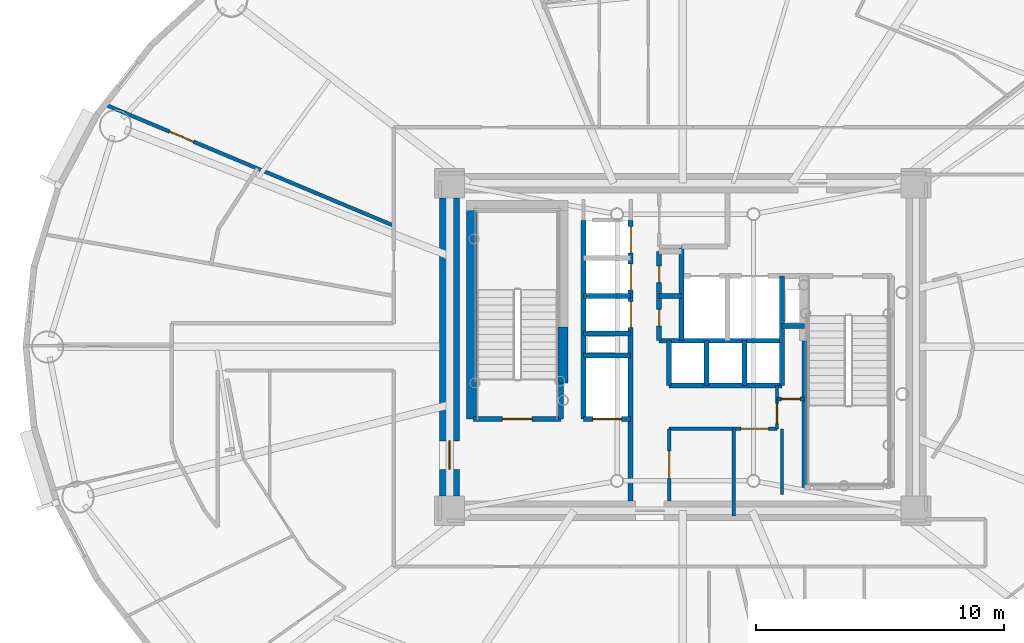
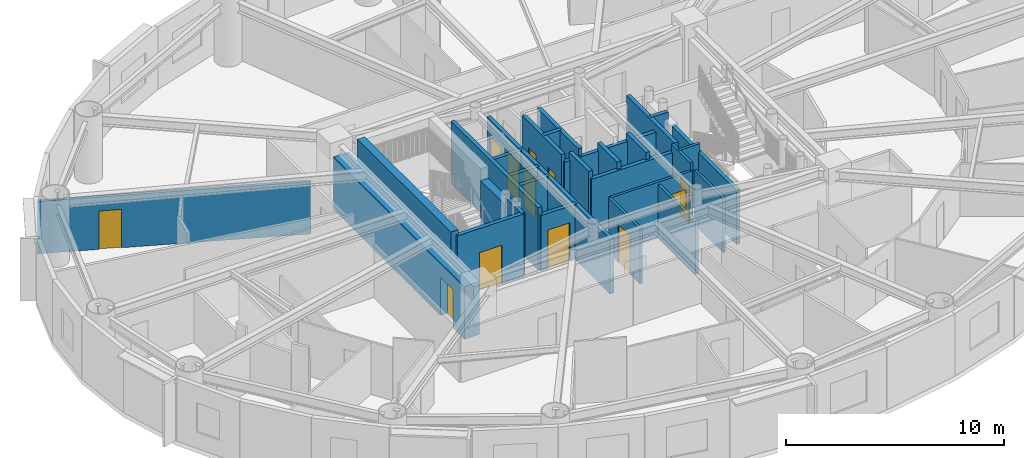
# One storey, part 8 of 18: 29 walls, 13 doors, 13 openings.
"""IFC4 building model written with IfcOpenShell, lengths in metres."""

from ifc_helpers import new_model, si_unit, direction, frame, frame_2d, origin, origin_2d, place, context, subcontext, project, spatial, rectangle, extrude, source, transform, mapped, material, layer, layer_set, type_object, element, fill, save


model = new_model("IFC4")

# Units and contexts
model_context = context("Model", 3, precision=1e-05, world=origin(), true_north=direction((0.0, 1.0)))
body_context = subcontext(model_context, "Body", "Model", "MODEL_VIEW")
ifc_project = project(units=[si_unit("LENGTHUNIT", "METRE"), si_unit("AREAUNIT", "SQUARE_METRE"), si_unit("VOLUMEUNIT", "CUBIC_METRE"), si_unit("PLANEANGLEUNIT", "RADIAN"), si_unit("MASSUNIT", "GRAM", prefix="KILO")], contexts=[model_context])

# Site, building, storey
site_placement = place(None, origin())
site = spatial("IfcSite", under=ifc_project, at=site_placement, CompositionType="ELEMENT")
building_placement = place(site_placement, origin())
building = spatial("IfcBuilding", under=site, at=building_placement, Name="Linh Dai School and Residence Tower", CompositionType="ELEMENT")
storey_placement = place(building_placement, frame((0.0, 0.0, 186.14990234375)))
storey = spatial("IfcBuildingStorey", under=building, at=storey_placement, Name="L45", CompositionType="ELEMENT", Elevation=186.14990234375)

# Wall, opening, door
ifc_material_1 = material(Name="Autoclaved Aerated Concrete Blockwork", Category="masonry")
ifc_layer_1 = layer(ifc_material_1, 0.135009765625)
ifc_layer_set_1 = layer_set([ifc_layer_1], Name="Autoclaved Aerated Concrete Blockwork")
wall_type_1 = type_object("IfcWallType", Name="IW-CORR-135-EI90", PredefinedType="PARTITIONING", material=ifc_layer_set_1)
wall_1_placement = place(storey_placement, frame((35.449951171875, 20.800048828125, 0.0), z_axis=(0.0, 0.0, 1.0), x_axis=(0.0, 1.0, 0.0)))
wall_1 = element("IfcWall", 1, at=wall_1_placement, inside=storey, type_object=wall_type_1, Name="L45 Interior Partition Wall 047", PredefinedType="PARTITIONING", context=body_context, shape_type="SweptSolid", body=[
    extrude(rectangle(XDim=2.89990234375, YDim=0.135009765625, at=frame_2d((1.449951171875, 0.0))), origin(), (0.0, 0.0, 1.0), 3.085205078125),
])
opening_1_placement = place(wall_1_placement, frame((0.89990234375, 0.0, 0.0)))
opening_1 = element("IfcOpeningElement", 2, at=opening_1_placement, cuts=wall_1, Name="Opening D07", PredefinedType="OPENING", context=body_context, shape_type="SweptSolid", body=[
    extrude(rectangle(XDim=1.10009765625, YDim=2.14990234375, at=origin_2d()), frame((0.550048828125, 0.07763671875, 1.074951171875), z_axis=(0.0, -1.0, 0.0), x_axis=(1.0, 0.0, 0.0)), (0.0, 0.0, 1.0), 0.155029296875),
])
ifc_material_2 = material(Name="Fire-Rated Louvred Steel Plant Door", Category="steel")
door_type_1 = type_object("IfcDoorType", Name="DR-PLT-1100x2150-FD60S", OperationType="NOTDEFINED", PredefinedType="DOOR", material=ifc_material_2)
shared_shape_1 = source(origin(), body_context, "Body", "SweptSolid", [
    extrude(rectangle(XDim=1.10009765625, YDim=2.14990234375, at=origin_2d()), frame((0.550048828125, 0.02490234375, 1.074951171875), z_axis=(0.0, -1.0, 0.0), x_axis=(1.0, 0.0, 0.0)), (0.0, 0.0, 1.0), 0.050048828125),
])
door_1_placement = place(opening_1_placement, origin())
door_1 = element("IfcDoor", 3, at=door_1_placement, inside=storey, type_object=door_type_1, Name="L45 Floor Electrical Switchroom Door", OperationType="SINGLE_SWING_RIGHT", OverallHeight=2.14990234375, OverallWidth=1.10009765625, PredefinedType="DOOR", context=body_context, shape_type="MappedRepresentation", body=[
    mapped(shared_shape_1, transform((0.0, 0.0, 0.0), x_axis=(1.0, 0.0, 0.0), y_axis=(0.0, 1.0, 0.0), z_axis=(0.0, 0.0, 1.0), scale=1.0)),
])
fill(opening_1, door_1)

wall_2_placement = place(storey_placement, frame((35.449951171875, 23.699951171875, 0.0), z_axis=(0.0, 0.0, 1.0), x_axis=(1.0, 0.0, 0.0)))
wall_2 = element("IfcWall", 4, at=wall_2_placement, inside=storey, type_object=wall_type_1, Name="L45 Interior Partition Wall 048", PredefinedType="PARTITIONING", context=body_context, shape_type="SweptSolid", body=[
    extrude(rectangle(XDim=4.35009765625, YDim=0.135009765625, at=frame_2d((2.175048828125, 0.0))), origin(), (0.0, 0.0, 1.0), 3.085205078125),
])
opening_2_placement = place(wall_2_placement, frame((2.905029296875, 0.0, 0.0)))
opening_2 = element("IfcOpeningElement", 5, at=opening_2_placement, cuts=wall_2, Name="Opening D07", PredefinedType="OPENING", context=body_context, shape_type="SweptSolid", body=[
    extrude(rectangle(XDim=1.10009765625, YDim=2.14990234375, at=origin_2d()), frame((0.550048828125, 0.07763671875, 1.074951171875), z_axis=(0.0, -1.0, 0.0), x_axis=(1.0, 0.0, 0.0)), (0.0, 0.0, 1.0), 0.155029296875),
])
door_2_placement = place(opening_2_placement, origin())
door_2 = element("IfcDoor", 6, at=door_2_placement, inside=storey, type_object=door_type_1, Name="L45 Telecom Node Room Door", OperationType="SINGLE_SWING_LEFT", OverallHeight=2.14990234375, OverallWidth=1.10009765625, PredefinedType="DOOR", context=body_context, shape_type="MappedRepresentation", body=[
    mapped(shared_shape_1, transform((0.0, 0.0, 0.0), x_axis=(1.0, 0.0, 0.0), y_axis=(0.0, 1.0, 0.0), z_axis=(0.0, 0.0, 1.0), scale=1.0)),
])
fill(opening_2, door_2)

wall_3_placement = place(storey_placement, frame((39.800048828125, 23.699951171875, 0.0), z_axis=(0.0, 0.0, 1.0), x_axis=(0.0, 1.0, 0.0)))
wall_3 = element("IfcWall", 7, at=wall_3_placement, inside=storey, type_object=wall_type_1, Name="L45 Interior Partition Wall 066", PredefinedType="PARTITIONING", context=body_context, shape_type="SweptSolid", body=[
    extrude(rectangle(XDim=1.75, YDim=0.135009765625, at=frame_2d((0.875, 0.0))), origin(), (0.0, 0.0, 1.0), 3.5),
])
opening_3_placement = place(wall_3_placement, frame((0.2099609375, 0.0, 0.0)))
opening_3 = element("IfcOpeningElement", 8, at=opening_3_placement, cuts=wall_3, Name="Opening D06", PredefinedType="OPENING", context=body_context, shape_type="SweptSolid", body=[
    extrude(rectangle(XDim=0.820068359375, YDim=2.10009765625, at=origin_2d()), frame((0.41015625, 0.07763671875, 1.050048828125), z_axis=(0.0, -1.0, 0.0), x_axis=(1.0, 0.0, 0.0)), (0.0, 0.0, 1.0), 0.155029296875),
])
ifc_material_3 = material(Name="Moisture-Resistant Timber Bathroom Door", Category="wood")
door_type_2 = type_object("IfcDoorType", Name="DR-WET-820x2100", OperationType="NOTDEFINED", PredefinedType="DOOR", material=ifc_material_3)
shared_shape_2 = source(origin(), body_context, "Body", "SweptSolid", [
    extrude(rectangle(XDim=0.820068359375, YDim=2.10009765625, at=origin_2d()), frame((0.41015625, 0.02490234375, 1.050048828125), z_axis=(0.0, -1.0, 0.0), x_axis=(1.0, 0.0, 0.0)), (0.0, 0.0, 1.0), 0.050048828125),
])
door_3_placement = place(opening_3_placement, origin())
door_3 = element("IfcDoor", 9, at=door_3_placement, inside=storey, type_object=door_type_2, Name="L45 SE Electrical Closet Door", OperationType="SINGLE_SWING_LEFT", OverallHeight=2.10009765625, OverallWidth=0.820068359375, PredefinedType="DOOR", context=body_context, shape_type="MappedRepresentation", body=[
    mapped(shared_shape_2, transform((0.0, 0.0, 0.0), x_axis=(1.0, 0.0, 0.0), y_axis=(0.0, 1.0, 0.0), z_axis=(0.0, 0.0, 1.0), scale=1.0)),
])
fill(opening_3, door_3)

# Wall
wall_4_placement = place(storey_placement, frame((40.0, 23.699951171875, 0.0), z_axis=(0.0, 0.0, 1.0), x_axis=(0.0, -1.0, 0.0)))
element("IfcWall", 10, at=wall_4_placement, inside=storey, type_object=wall_type_1, Name="L45 Interior Partition Wall 098", PredefinedType="PARTITIONING", context=body_context, shape_type="SweptSolid", body=[
    extrude(rectangle(XDim=2.639892578125, YDim=0.135009765625, at=frame_2d((1.31982421875, 0.0))), origin(), (0.0, 0.0, 1.0), 3.03515625),
])

# Wall, opening, door
ifc_layer_2 = layer(ifc_material_1, 0.14990234375)
ifc_layer_set_2 = layer_set([ifc_layer_2], Name="Autoclaved Aerated Concrete Blockwork")
wall_type_2 = type_object("IfcWallType", Name="IW-SCH-150-EI60", PredefinedType="PARTITIONING", material=ifc_layer_set_2)
wall_5_placement = place(storey_placement, frame((12.7001953125, 36.775146484375, 0.0), z_axis=(0.0, 0.0, 1.0), x_axis=(0.922134788074, -0.386868753745, 0.0)))
wall_5 = element("IfcWall", 11, at=wall_5_placement, inside=storey, type_object=wall_type_2, Name="L45 Interior Partition Wall 004", PredefinedType="PARTITIONING", context=body_context, shape_type="SweptSolid", body=[
    extrude(rectangle(XDim=12.63330078125, YDim=0.14990234375, at=frame_2d((6.316650390625, 0.0))), origin(), (0.0, 0.0, 1.0), 2.93505859375),
])
opening_4_placement = place(wall_5_placement, frame((2.83447265625, 0.0, 0.0)))
opening_4 = element("IfcOpeningElement", 12, at=opening_4_placement, cuts=wall_5, Name="Opening D04", PredefinedType="OPENING", context=body_context, shape_type="SweptSolid", body=[
    extrude(rectangle(XDim=1.050048828125, YDim=2.14990234375, at=origin_2d()), frame((0.52490234375, 0.0849609375, 1.074951171875), z_axis=(0.0, -1.0, 0.0), x_axis=(1.0, 0.0, 0.0)), (0.0, 0.0, 1.0), 0.169921875),
])
ifc_material_4 = material(Name="Acoustic Vision-Panel Timber Classroom Door", Category="wood")
door_type_3 = type_object("IfcDoorType", Name="DR-SCH-1050x2150-FD60S", OperationType="NOTDEFINED", PredefinedType="DOOR", material=ifc_material_4)
shared_shape_3 = source(origin(), body_context, "Body", "SweptSolid", [
    extrude(rectangle(XDim=1.050048828125, YDim=2.14990234375, at=origin_2d()), frame((0.52490234375, 0.02490234375, 1.074951171875), z_axis=(0.0, -1.0, 0.0), x_axis=(1.0, 0.0, 0.0)), (0.0, 0.0, 1.0), 0.050048828125),
])
door_4_placement = place(opening_4_placement, origin())
door_4 = element("IfcDoor", 13, at=door_4_placement, inside=storey, type_object=door_type_3, Name="L45 Amenity Tea Salon Door", OperationType="SINGLE_SWING_LEFT", OverallHeight=2.14990234375, OverallWidth=1.050048828125, PredefinedType="DOOR", context=body_context, shape_type="MappedRepresentation", body=[
    mapped(shared_shape_3, transform((0.0, 0.0, 0.0), x_axis=(1.0, 0.0, 0.0), y_axis=(0.0, 1.0, 0.0), z_axis=(0.0, 0.0, 1.0), scale=1.0)),
])
fill(opening_4, door_4)

# Wall
wall_6_placement = place(storey_placement, frame((38.050048828125, 20.179931640625, 0.0), z_axis=(0.0, 0.0, 1.0), x_axis=(0.0, 1.0, 0.0)))
element("IfcWall", 14, at=wall_6_placement, inside=storey, type_object=wall_type_2, Name="L45 Interior Partition Wall 062", PredefinedType="PARTITIONING", context=body_context, shape_type="SweptSolid", body=[
    extrude(rectangle(XDim=3.52001953125, YDim=0.14990234375, at=frame_2d((1.760009765625, 0.0))), origin(), (0.0, 0.0, 1.0), 2.93505859375),
])

# Wall, opening, door
wall_7_placement = place(storey_placement, frame((39.800048828125, 24.89990234375, 0.0), z_axis=(0.0, 0.0, 1.0), x_axis=(1.0, 0.0, 0.0)))
wall_7 = element("IfcWall", 15, at=wall_7_placement, inside=storey, type_object=wall_type_2, Name="L45 Interior Partition Wall 067", PredefinedType="PARTITIONING", context=body_context, shape_type="SweptSolid", body=[
    extrude(rectangle(XDim=1.099853515625, YDim=0.14990234375, at=frame_2d((0.5498046875, 0.0))), origin(), (0.0, 0.0, 1.0), 3.5),
])
opening_5_placement = place(wall_7_placement, frame((0.169921875, 0.0, 0.0)))
opening_5 = element("IfcOpeningElement", 16, at=opening_5_placement, cuts=wall_7, Name="Opening D08", PredefinedType="OPENING", context=body_context, shape_type="SweptSolid", body=[
    extrude(rectangle(XDim=0.760009765625, YDim=2.10009765625, at=origin_2d()), frame((0.3798828125, 0.0849609375, 1.050048828125), z_axis=(0.0, -1.0, 0.0), x_axis=(1.0, 0.0, 0.0)), (0.0, 0.0, 1.0), 0.169921875),
])
ifc_material_5 = material(Name="Engineered Timber Closet and Study Door", Category="wood")
door_type_4 = type_object("IfcDoorType", Name="DR-CMP-760x2100", OperationType="NOTDEFINED", PredefinedType="DOOR", material=ifc_material_5)
shared_shape_4 = source(origin(), body_context, "Body", "SweptSolid", [
    extrude(rectangle(XDim=0.760009765625, YDim=2.10009765625, at=origin_2d()), frame((0.3798828125, 0.02490234375, 1.050048828125), z_axis=(0.0, -1.0, 0.0), x_axis=(1.0, 0.0, 0.0)), (0.0, 0.0, 1.0), 0.050048828125),
])
door_5_placement = place(opening_5_placement, origin())
door_5 = element("IfcDoor", 17, at=door_5_placement, inside=storey, type_object=door_type_4, Name="L45 NE Equipment Store Door", OperationType="SINGLE_SWING_RIGHT", OverallHeight=2.10009765625, OverallWidth=0.760009765625, PredefinedType="DOOR", context=body_context, shape_type="MappedRepresentation", body=[
    mapped(shared_shape_4, transform((0.0, 0.0, 0.0), x_axis=(1.0, 0.0, 0.0), y_axis=(0.0, 1.0, 0.0), z_axis=(0.0, 0.0, 1.0), scale=1.0)),
])
fill(opening_5, door_5)

ifc_material_6 = material(Name="Concrete B45 (C35/45)", Category="concrete")
ifc_layer_3 = layer(ifc_material_6, 0.199951171875)
ifc_layer_set_3 = layer_set([ifc_layer_3], Name="Concrete B45 (C35/45)")
wall_type_3 = type_object("IfcWallType", Name="IW-SHAFT-200-EI120", PredefinedType="PARTITIONING", material=ifc_layer_set_3)
wall_8_placement = place(storey_placement, frame((27.56005859375, 24.10009765625, 0.0), z_axis=(0.0, 0.0, 1.0), x_axis=(1.0, 0.0, 0.0)))
wall_8 = element("IfcWall", 18, at=wall_8_placement, inside=storey, type_object=wall_type_3, Name="L45 Interior Partition Wall 025", PredefinedType="PARTITIONING", context=body_context, shape_type="SweptSolid", body=[
    extrude(rectangle(XDim=3.5400390625, YDim=0.199951171875, at=frame_2d((1.77001953125, 0.0))), origin(), (0.0, 0.0, 1.0), 3.5),
])
opening_6_placement = place(wall_8_placement, frame((1.169921875, 0.0, 0.0)))
opening_6 = element("IfcOpeningElement", 19, at=opening_6_placement, cuts=wall_8, Name="Opening D01", PredefinedType="OPENING", context=body_context, shape_type="SweptSolid", body=[
    extrude(rectangle(XDim=1.199951171875, YDim=2.14990234375, at=origin_2d()), frame((0.60009765625, 0.10986328125, 1.074951171875), z_axis=(0.0, -1.0, 0.0), x_axis=(1.0, 0.0, 0.0)), (0.0, 0.0, 1.0), 0.219970703125),
])
ifc_material_7 = material(Name="Fire-Rated Steel Door Leaf", Category="steel")
door_type_5 = type_object("IfcDoorType", Name="DR-STAIR-1200x2150-FD90S", OperationType="NOTDEFINED", PredefinedType="DOOR", material=ifc_material_7)
shared_shape_5 = source(origin(), body_context, "Body", "SweptSolid", [
    extrude(rectangle(XDim=1.199951171875, YDim=2.14990234375, at=origin_2d()), frame((0.60009765625, 0.02490234375, 1.074951171875), z_axis=(0.0, -1.0, 0.0), x_axis=(1.0, 0.0, 0.0)), (0.0, 0.0, 1.0), 0.050048828125),
])
door_6_placement = place(opening_6_placement, origin())
door_6 = element("IfcDoor", 20, at=door_6_placement, inside=storey, type_object=door_type_5, Name="L45 Core Smokeproof Exit Stair ST1 Door", OperationType="SINGLE_SWING_LEFT", OverallHeight=2.14990234375, OverallWidth=1.199951171875, PredefinedType="DOOR", context=body_context, shape_type="MappedRepresentation", body=[
    mapped(shared_shape_5, transform((0.0, 0.0, 0.0), x_axis=(1.0, 0.0, 0.0), y_axis=(0.0, 1.0, 0.0), z_axis=(0.0, 0.0, 1.0), scale=1.0)),
])
fill(opening_6, door_6)

# Walls
wall_9_placement = place(storey_placement, frame((31.10009765625, 24.10009765625, 0.0), z_axis=(0.0, 0.0, 1.0), x_axis=(0.0, 1.0, 0.0)))
element("IfcWall", 21, at=wall_9_placement, inside=storey, type_object=wall_type_3, Name="L45 Interior Partition Wall 030", PredefinedType="PARTITIONING", context=body_context, shape_type="SweptSolid", body=[
    extrude(rectangle(XDim=1.43994140625, YDim=0.199951171875, at=frame_2d((0.719970703125, 0.0))), origin(), (0.0, 0.0, 1.0), 3.5),
])
wall_10_placement = place(storey_placement, frame((32.0, 24.10009765625, 0.0), z_axis=(0.0, 0.0, 1.0), x_axis=(0.0, 1.0, 0.0)))
element("IfcWall", 22, at=wall_10_placement, inside=storey, type_object=wall_type_3, Name="L45 Interior Partition Wall 031", PredefinedType="PARTITIONING", context=body_context, shape_type="SweptSolid", body=[
    extrude(rectangle(XDim=8.0, YDim=0.199951171875, at=frame_2d((4.0, 0.0))), origin(), (0.0, 0.0, 1.0), 3.5),
])

# Wall, opening, door
wall_11_placement = place(storey_placement, frame((32.0, 24.10009765625, 0.0), z_axis=(0.0, 0.0, 1.0), x_axis=(1.0, 0.0, 0.0)))
wall_11 = element("IfcWall", 23, at=wall_11_placement, inside=storey, type_object=wall_type_3, Name="L45 Interior Partition Wall 032", PredefinedType="PARTITIONING", context=body_context, shape_type="SweptSolid", body=[
    extrude(rectangle(XDim=1.89990234375, YDim=0.199951171875, at=frame_2d((0.949951171875, 0.0))), origin(), (0.0, 0.0, 1.0), 3.085205078125),
])
opening_7_placement = place(wall_11_placement, frame((0.375, 0.0, 0.0)))
opening_7 = element("IfcOpeningElement", 24, at=opening_7_placement, cuts=wall_11, Name="Opening LD-FF2", PredefinedType="OPENING", context=body_context, shape_type="SweptSolid", body=[
    extrude(rectangle(XDim=1.14990234375, YDim=2.14990234375, at=origin_2d()), frame((0.574951171875, 0.10986328125, 1.074951171875), z_axis=(0.0, -1.0, 0.0), x_axis=(1.0, 0.0, 0.0)), (0.0, 0.0, 1.0), 0.219970703125),
])
ifc_material_8 = material(Name="Fire-Rated Stainless Steel Firefighting Lift Door", Category="steel")
door_type_6 = type_object("IfcDoorType", Name="DR-LD-FF-1150x2150-FD120", OperationType="DOUBLE_DOOR_SLIDING", PredefinedType="USERDEFINED", material=ifc_material_8)
shared_shape_6 = source(origin(), body_context, "Body", "SweptSolid", [
    extrude(rectangle(XDim=1.14990234375, YDim=2.14990234375, at=origin_2d()), frame((0.574951171875, 0.02490234375, 1.074951171875), z_axis=(0.0, -1.0, 0.0), x_axis=(1.0, 0.0, 0.0)), (0.0, 0.0, 1.0), 0.050048828125),
])
door_7_placement = place(opening_7_placement, origin())
door_7 = element("IfcDoor", 25, at=door_7_placement, inside=storey, type_object=door_type_6, Name="L45 Lift FF2 Sliding Landing Door", ObjectType="LANDING DOOR", OperationType="DOUBLE_DOOR_SLIDING", OverallHeight=2.14990234375, OverallWidth=1.14990234375, PredefinedType="USERDEFINED", context=body_context, shape_type="MappedRepresentation", body=[
    mapped(shared_shape_6, transform((0.0, 0.0, 0.0), x_axis=(1.0, 0.0, 0.0), y_axis=(0.0, 1.0, 0.0), z_axis=(0.0, 0.0, 1.0), scale=1.0)),
])
fill(opening_7, door_7)

# Walls
for number, where, z_axis, x_axis, name in (
    (26, (32.0, 26.64990234375, 0.0), (0.0, 0.0, 1.0), (1.0, 0.0, 0.0), "L45 Interior Partition Wall 033"),
    (27, (32.0, 27.550048828125, 0.0), (0.0, 0.0, 1.0), (1.0, 0.0, 0.0), "L45 Interior Partition Wall 034"),
    (28, (32.0, 29.06005859375, 0.0), (0.0, 0.0, 1.0), (1.0, 0.0, 0.0), "L45 Interior Partition Wall 035"),
):
    element("IfcWall", number, at=place(storey_placement, frame(where, z_axis=z_axis, x_axis=x_axis)), inside=storey, type_object=wall_type_3, Name=name, PredefinedType="PARTITIONING", context=body_context, shape_type="SweptSolid", body=[
        extrude(rectangle(XDim=1.89990234375, YDim=0.199951171875, at=frame_2d((0.949951171875, 0.0))), origin(), (0.0, 0.0, 1.0), 3.085205078125),
    ])

# Wall, openings, doors
wall_12_placement = place(storey_placement, frame((33.89990234375, 20.800048828125, 0.0), z_axis=(0.0, 0.0, 1.0), x_axis=(0.0, 1.0, 0.0)))
wall_12 = element("IfcWall", 29, at=wall_12_placement, inside=storey, type_object=wall_type_3, Name="L45 Interior Partition Wall 039", PredefinedType="PARTITIONING", context=body_context, shape_type="SweptSolid", body=[
    extrude(rectangle(XDim=11.300048828125, YDim=0.199951171875, at=frame_2d((5.64990234375, 0.0))), origin(), (0.0, 0.0, 1.0), 3.085205078125),
])
opening_8_placement = place(wall_12_placement, frame((6.97998046875, 0.0, 0.0)))
opening_8 = element("IfcOpeningElement", 30, at=opening_8_placement, cuts=wall_12, Name="Opening LD-PL4", PredefinedType="OPENING", context=body_context, shape_type="SweptSolid", body=[
    extrude(rectangle(XDim=1.050048828125, YDim=2.14990234375, at=origin_2d()), frame((0.52490234375, 0.10986328125, 1.074951171875), z_axis=(0.0, -1.0, 0.0), x_axis=(1.0, 0.0, 0.0)), (0.0, 0.0, 1.0), 0.219970703125),
])
opening_9_placement = place(wall_12_placement, frame((8.4951171875, 0.0, 0.0)))
opening_9 = element("IfcOpeningElement", 31, at=opening_9_placement, cuts=wall_12, Name="Opening LD-PL5", PredefinedType="OPENING", context=body_context, shape_type="SweptSolid", body=[
    extrude(rectangle(XDim=1.050048828125, YDim=2.14990234375, at=origin_2d()), frame((0.52490234375, 0.10986328125, 1.074951171875), z_axis=(0.0, -1.0, 0.0), x_axis=(1.0, 0.0, 0.0)), (0.0, 0.0, 1.0), 0.219970703125),
])
opening_10_placement = place(wall_12_placement, frame((9.9951171875, 0.0, 0.0)))
opening_10 = element("IfcOpeningElement", 32, at=opening_10_placement, cuts=wall_12, Name="Opening LD-PL6", PredefinedType="OPENING", context=body_context, shape_type="SweptSolid", body=[
    extrude(rectangle(XDim=1.050048828125, YDim=2.14990234375, at=origin_2d()), frame((0.52490234375, 0.10986328125, 1.074951171875), z_axis=(0.0, -1.0, 0.0), x_axis=(1.0, 0.0, 0.0)), (0.0, 0.0, 1.0), 0.219970703125),
])
ifc_material_9 = material(Name="Brushed Stainless Steel Lift Landing Door", Category="steel")
door_type_7 = type_object("IfcDoorType", Name="DR-LD-PASS-1050x2150", OperationType="DOUBLE_DOOR_SLIDING", PredefinedType="USERDEFINED", material=ifc_material_9)
shared_shape_7 = source(origin(), body_context, "Body", "SweptSolid", [
    extrude(rectangle(XDim=1.050048828125, YDim=2.14990234375, at=origin_2d()), frame((0.52490234375, 0.02490234375, 1.074951171875), z_axis=(0.0, -1.0, 0.0), x_axis=(1.0, 0.0, 0.0)), (0.0, 0.0, 1.0), 0.050048828125),
])
door_8_placement = place(opening_8_placement, origin())
door_8 = element("IfcDoor", 33, at=door_8_placement, inside=storey, type_object=door_type_7, Name="L45 Lift PL4 Sliding Landing Door", ObjectType="LANDING DOOR", OperationType="DOUBLE_DOOR_SLIDING", OverallHeight=2.14990234375, OverallWidth=1.050048828125, PredefinedType="USERDEFINED", context=body_context, shape_type="MappedRepresentation", body=[
    mapped(shared_shape_7, transform((0.0, 0.0, 0.0), x_axis=(1.0, 0.0, 0.0), y_axis=(0.0, 1.0, 0.0), z_axis=(0.0, 0.0, 1.0), scale=1.0)),
])
fill(opening_8, door_8)
door_9_placement = place(opening_9_placement, origin())
door_9 = element("IfcDoor", 34, at=door_9_placement, inside=storey, type_object=door_type_7, Name="L45 Lift PL5 Sliding Landing Door", ObjectType="LANDING DOOR", OperationType="DOUBLE_DOOR_SLIDING", OverallHeight=2.14990234375, OverallWidth=1.050048828125, PredefinedType="USERDEFINED", context=body_context, shape_type="MappedRepresentation", body=[
    mapped(shared_shape_7, transform((0.0, 0.0, 0.0), x_axis=(1.0, 0.0, 0.0), y_axis=(0.0, 1.0, 0.0), z_axis=(0.0, 0.0, 1.0), scale=1.0)),
])
fill(opening_9, door_9)
door_10_placement = place(opening_10_placement, origin())
door_10 = element("IfcDoor", 35, at=door_10_placement, inside=storey, type_object=door_type_7, Name="L45 Lift PL6 Sliding Landing Door", ObjectType="LANDING DOOR", OperationType="DOUBLE_DOOR_SLIDING", OverallHeight=2.14990234375, OverallWidth=1.050048828125, PredefinedType="USERDEFINED", context=body_context, shape_type="MappedRepresentation", body=[
    mapped(shared_shape_7, transform((0.0, 0.0, 0.0), x_axis=(1.0, 0.0, 0.0), y_axis=(0.0, 1.0, 0.0), z_axis=(0.0, 0.0, 1.0), scale=1.0)),
])
fill(opening_10, door_10)

wall_13_placement = place(storey_placement, frame((35.050048828125, 27.25, 0.0), z_axis=(0.0, 0.0, 1.0), x_axis=(0.0, 1.0, 0.0)))
wall_13 = element("IfcWall", 36, at=wall_13_placement, inside=storey, type_object=wall_type_3, Name="L45 Interior Partition Wall 041", PredefinedType="PARTITIONING", context=body_context, shape_type="SweptSolid", body=[
    extrude(rectangle(XDim=3.60009765625, YDim=0.199951171875, at=frame_2d((1.800048828125, 0.0))), origin(), (0.0, 0.0, 1.0), 3.5),
])
opening_11_placement = place(wall_13_placement, frame((0.590087890625, 0.0, 0.0)))
opening_11 = element("IfcOpeningElement", 37, at=opening_11_placement, cuts=wall_13, Name="Opening AD1", PredefinedType="OPENING", context=body_context, shape_type="SweptSolid", body=[
    extrude(rectangle(XDim=0.659912109375, YDim=2.050048828125, at=origin_2d()), frame((0.330078125, 0.10986328125, 1.02490234375), z_axis=(0.0, -1.0, 0.0), x_axis=(1.0, 0.0, 0.0)), (0.0, 0.0, 1.0), 0.219970703125),
])
opening_12_placement = place(wall_13_placement, frame((2.35009765625, 0.0, 0.0)))
opening_12 = element("IfcOpeningElement", 38, at=opening_12_placement, cuts=wall_13, Name="Opening AD1", PredefinedType="OPENING", context=body_context, shape_type="SweptSolid", body=[
    extrude(rectangle(XDim=0.659912109375, YDim=2.050048828125, at=origin_2d()), frame((0.330078125, 0.10986328125, 1.02490234375), z_axis=(0.0, -1.0, 0.0), x_axis=(1.0, 0.0, 0.0)), (0.0, 0.0, 1.0), 0.219970703125),
])
ifc_material_10 = material(Name="Fire-Rated Steel Riser Access Door", Category="steel")
door_type_8 = type_object("IfcDoorType", Name="DR-ACC-660x2050-FD90S", OperationType="NOTDEFINED", PredefinedType="USERDEFINED", material=ifc_material_10)
shared_shape_8 = source(origin(), body_context, "Body", "SweptSolid", [
    extrude(rectangle(XDim=0.659912109375, YDim=2.050048828125, at=origin_2d()), frame((0.330078125, 0.02490234375, 1.02490234375), z_axis=(0.0, -1.0, 0.0), x_axis=(1.0, 0.0, 0.0)), (0.0, 0.0, 1.0), 0.050048828125),
])
door_11_placement = place(opening_11_placement, origin())
door_11 = element("IfcDoor", 39, at=door_11_placement, inside=storey, type_object=door_type_8, Name="L45 Telecom and Data Riser Access Door", ObjectType="ACCESS DOOR", OperationType="SINGLE_SWING_RIGHT", OverallHeight=2.050048828125, OverallWidth=0.659912109375, PredefinedType="USERDEFINED", context=body_context, shape_type="MappedRepresentation", body=[
    mapped(shared_shape_8, transform((0.0, 0.0, 0.0), x_axis=(1.0, 0.0, 0.0), y_axis=(0.0, 1.0, 0.0), z_axis=(0.0, 0.0, 1.0), scale=1.0)),
])
fill(opening_11, door_11)
door_12_placement = place(opening_12_placement, origin())
door_12 = element("IfcDoor", 40, at=door_12_placement, inside=storey, type_object=door_type_8, Name="L45 Mechanical and Plumbing Riser Access Door", ObjectType="ACCESS DOOR", OperationType="SINGLE_SWING_LEFT", OverallHeight=2.050048828125, OverallWidth=0.659912109375, PredefinedType="USERDEFINED", context=body_context, shape_type="MappedRepresentation", body=[
    mapped(shared_shape_8, transform((0.0, 0.0, 0.0), x_axis=(1.0, 0.0, 0.0), y_axis=(0.0, 1.0, 0.0), z_axis=(0.0, 0.0, 1.0), scale=1.0)),
])
fill(opening_12, door_12)

# Walls
wall_14_placement = place(storey_placement, frame((35.050048828125, 27.25, 0.0), z_axis=(0.0, 0.0, 1.0), x_axis=(1.0, 0.0, 0.0)))
element("IfcWall", 41, at=wall_14_placement, inside=storey, type_object=wall_type_3, Name="L45 Interior Partition Wall 042", PredefinedType="PARTITIONING", context=body_context, shape_type="SweptSolid", body=[
    extrude(rectangle(XDim=4.949951171875, YDim=0.199951171875, at=frame_2d((2.47509765625, 0.0))), origin(), (0.0, 0.0, 1.0), 3.085205078125),
])
wall_15_placement = place(storey_placement, frame((35.050048828125, 29.050048828125, 0.0), z_axis=(0.0, 0.0, 1.0), x_axis=(1.0, 0.0, 0.0)))
element("IfcWall", 42, at=wall_15_placement, inside=storey, type_object=wall_type_3, Name="L45 Interior Partition Wall 043", PredefinedType="PARTITIONING", context=body_context, shape_type="SweptSolid", body=[
    extrude(rectangle(XDim=0.89990234375, YDim=0.199951171875, at=frame_2d((0.449951171875, 0.0))), origin(), (0.0, 0.0, 1.0), 3.5),
])
wall_16_placement = place(storey_placement, frame((35.449951171875, 25.449951171875, 0.0), z_axis=(0.0, 0.0, 1.0), x_axis=(0.0, 1.0, 0.0)))
element("IfcWall", 43, at=wall_16_placement, inside=storey, type_object=wall_type_3, Name="L45 Interior Partition Wall 049", PredefinedType="PARTITIONING", context=body_context, shape_type="SweptSolid", body=[
    extrude(rectangle(XDim=1.800048828125, YDim=0.199951171875, at=frame_2d((0.89990234375, 0.0))), origin(), (0.0, 0.0, 1.0), 3.5),
])
wall_17_placement = place(storey_placement, frame((35.449951171875, 25.449951171875, 0.0), z_axis=(0.0, 0.0, 1.0), x_axis=(1.0, 0.0, 0.0)))
element("IfcWall", 44, at=wall_17_placement, inside=storey, type_object=wall_type_3, Name="L45 Interior Partition Wall 050", PredefinedType="PARTITIONING", context=body_context, shape_type="SweptSolid", body=[
    extrude(rectangle(XDim=4.550048828125, YDim=0.199951171875, at=frame_2d((2.27490234375, 0.0))), origin(), (0.0, 0.0, 1.0), 3.085205078125),
])
wall_18_placement = place(storey_placement, frame((35.949951171875, 27.25, 0.0), z_axis=(0.0, 0.0, 1.0), x_axis=(0.0, 1.0, 0.0)))
element("IfcWall", 45, at=wall_18_placement, inside=storey, type_object=wall_type_3, Name="L45 Interior Partition Wall 051", PredefinedType="PARTITIONING", context=body_context, shape_type="SweptSolid", body=[
    extrude(rectangle(XDim=3.800048828125, YDim=0.199951171875, at=frame_2d((1.89990234375, 0.0))), origin(), (0.0, 0.0, 1.0), 3.5),
])
for number, where, z_axis, x_axis, name in (
    (46, (36.9599609375, 25.449951171875, 0.0), (0.0, 0.0, 1.0), (0.0, 1.0, 0.0), "L45 Interior Partition Wall 058"),
    (47, (38.47998046875, 25.449951171875, 0.0), (0.0, 0.0, 1.0), (0.0, 1.0, 0.0), "L45 Interior Partition Wall 065"),
):
    element("IfcWall", number, at=place(storey_placement, frame(where, z_axis=z_axis, x_axis=x_axis)), inside=storey, type_object=wall_type_3, Name=name, PredefinedType="PARTITIONING", context=body_context, shape_type="SweptSolid", body=[
        extrude(rectangle(XDim=1.800048828125, YDim=0.199951171875, at=frame_2d((0.89990234375, 0.0))), origin(), (0.0, 0.0, 1.0), 3.5),
    ])
wall_19_placement = place(storey_placement, frame((40.0, 25.449951171875, 0.0), z_axis=(0.0, 0.0, 1.0), x_axis=(0.0, 1.0, 0.0)))
element("IfcWall", 48, at=wall_19_placement, inside=storey, type_object=wall_type_3, Name="L45 Interior Partition Wall 068", PredefinedType="PARTITIONING", context=body_context, shape_type="SweptSolid", body=[
    extrude(rectangle(XDim=4.400146484375, YDim=0.199951171875, at=frame_2d((2.2001953125, 0.0))), origin(), (0.0, 0.0, 1.0), 3.5),
])
wall_20_placement = place(storey_placement, frame((40.0, 27.85009765625, 0.0), z_axis=(0.0, 0.0, 1.0), x_axis=(1.0, 0.0, 0.0)))
element("IfcWall", 49, at=wall_20_placement, inside=storey, type_object=wall_type_3, Name="L45 Interior Partition Wall 069", PredefinedType="PARTITIONING", context=body_context, shape_type="SweptSolid", body=[
    extrude(rectangle(XDim=0.89990234375, YDim=0.199951171875, at=frame_2d((0.449951171875, 0.0))), origin(), (0.0, 0.0, 1.0), 3.5),
])
wall_21_placement = place(storey_placement, frame((40.89990234375, 21.330078125, 0.0), z_axis=(0.0, 0.0, 1.0), x_axis=(0.0, 1.0, 0.0)))
element("IfcWall", 50, at=wall_21_placement, inside=storey, type_object=wall_type_3, Name="L45 Interior Partition Wall 070", PredefinedType="PARTITIONING", context=body_context, shape_type="SweptSolid", body=[
    extrude(rectangle(XDim=5.909912109375, YDim=0.199951171875, at=frame_2d((2.955078125, 0.0))), origin(), (0.0, 0.0, 1.0), 3.03515625),
])
ifc_layer_4 = layer(ifc_material_6, 0.39990234375)
ifc_layer_set_4 = layer_set([ifc_layer_4], Name="Concrete B45 (C35/45)")
wall_type_4 = type_object("IfcWallType", Name="WL-CORE400", PredefinedType="SHEAR", material=ifc_layer_set_4)
wall_22_placement = place(storey_placement, frame((27.47998046875, 24.10009765625, 0.0), z_axis=(0.0, 0.0, 1.0), x_axis=(0.0, 1.0, 0.0)))
element("IfcWall", 51, at=wall_22_placement, inside=storey, type_object=wall_type_4, Name="L45 Core Stair ST1 Bearing Wall W", PredefinedType="SHEAR", context=body_context, shape_type="SweptSolid", body=[
    extrude(rectangle(XDim=8.599853515625, YDim=0.39990234375, at=frame_2d((4.2998046875, 0.0))), origin(), (0.0, 0.0, 1.0), 3.75),
])
wall_23_placement = place(storey_placement, frame((31.179931640625, 25.550048828125, 0.0), z_axis=(0.0, 0.0, 1.0), x_axis=(0.0, 1.0, 0.0)))
element("IfcWall", 52, at=wall_23_placement, inside=storey, type_object=wall_type_4, Name="L45 Internal Core Shear Wall IW", PredefinedType="SHEAR", context=body_context, shape_type="SweptSolid", body=[
    extrude(rectangle(XDim=2.25, YDim=0.39990234375, at=frame_2d((1.125, 0.0))), origin(), (0.0, 0.0, 1.0), 3.10009765625),
])

# Wall, opening, door
ifc_material_11 = material(Name="Concrete B60 (C50/60)", Category="concrete")
ifc_layer_5 = layer(ifc_material_11, 0.800048828125)
ifc_layer_set_5 = layer_set([ifc_layer_5], Name="Concrete B60 (C50/60)")
wall_type_5 = type_object("IfcWallType", Name="WL-CORE800", PredefinedType="SHEAR", material=ifc_layer_set_5)
wall_24_placement = place(storey_placement, frame((26.60009765625, 21.0, 0.0), z_axis=(0.0, 0.0, 1.0), x_axis=(0.0, 1.0, 0.0)))
wall_24 = element("IfcWall", 53, at=wall_24_placement, inside=storey, type_object=wall_type_5, Name="L45 Central Core Shear Wall W", PredefinedType="SHEAR", context=body_context, shape_type="SweptSolid", body=[
    extrude(rectangle(XDim=12.0, YDim=0.800048828125, at=frame_2d((6.0, 0.0))), origin(), (0.0, 0.0, 1.0), 2.9501953125),
])
opening_13_placement = place(wall_24_placement, frame((1.061279296875, 0.0, 0.0)))
opening_13 = element("IfcOpeningElement", 54, at=opening_13_placement, cuts=wall_24, Name="Opening D02", PredefinedType="OPENING", context=body_context, shape_type="SweptSolid", body=[
    extrude(rectangle(XDim=1.14990234375, YDim=2.14990234375, at=origin_2d()), frame((0.574951171875, 0.41015625, 1.074951171875), z_axis=(0.0, -1.0, 0.0), x_axis=(1.0, 0.0, 0.0)), (0.0, 0.0, 1.0), 0.820068359375),
])
ifc_material_12 = material(Name="Fire-Rated Glazed Steel Lobby Door", Category="steel")
door_type_9 = type_object("IfcDoorType", Name="DR-LOBBY-1150x2150-FD90S", OperationType="NOTDEFINED", PredefinedType="DOOR", material=ifc_material_12)
shared_shape_9 = source(origin(), body_context, "Body", "SweptSolid", [
    extrude(rectangle(XDim=1.14990234375, YDim=2.14990234375, at=origin_2d()), frame((0.574951171875, 0.02490234375, 1.074951171875), z_axis=(0.0, -1.0, 0.0), x_axis=(1.0, 0.0, 0.0)), (0.0, 0.0, 1.0), 0.050048828125),
])
door_13_placement = place(opening_13_placement, origin())
door_13 = element("IfcDoor", 55, at=door_13_placement, inside=storey, type_object=door_type_9, Name="L45 Firefighting Lobby Door", OperationType="SINGLE_SWING_RIGHT", OverallHeight=2.14990234375, OverallWidth=1.14990234375, PredefinedType="DOOR", context=body_context, shape_type="MappedRepresentation", body=[
    mapped(shared_shape_9, transform((0.0, 0.0, 0.0), x_axis=(1.0, 0.0, 0.0), y_axis=(0.0, 1.0, 0.0), z_axis=(0.0, 0.0, 1.0), scale=1.0)),
])
fill(opening_13, door_13)

save(model, "model.ifc")
